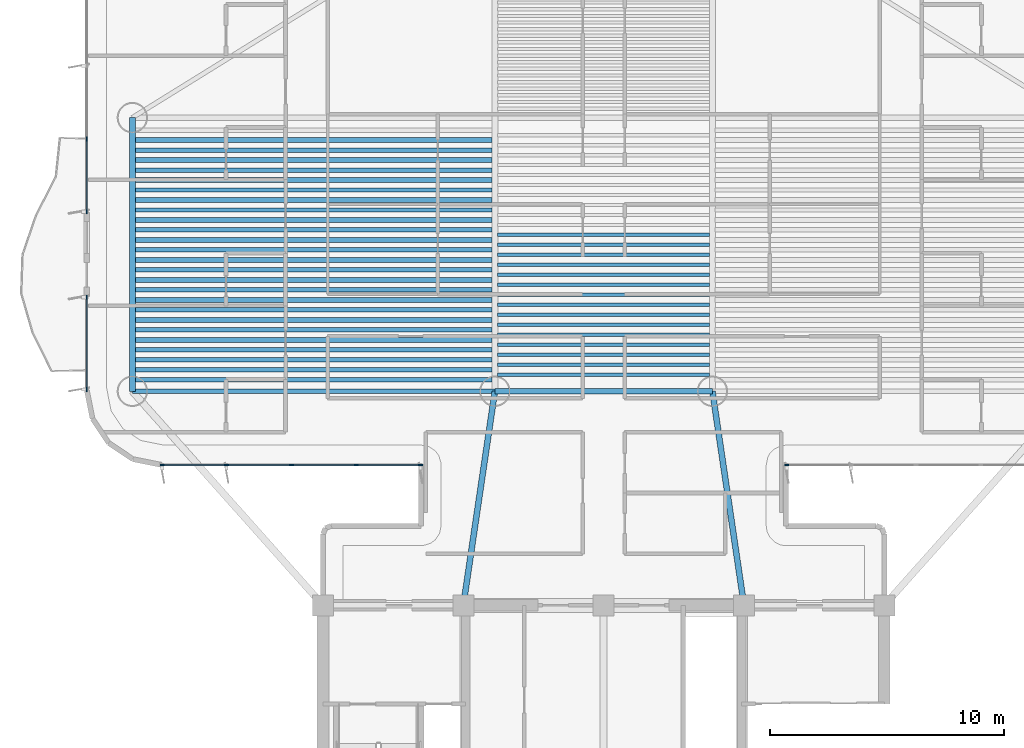
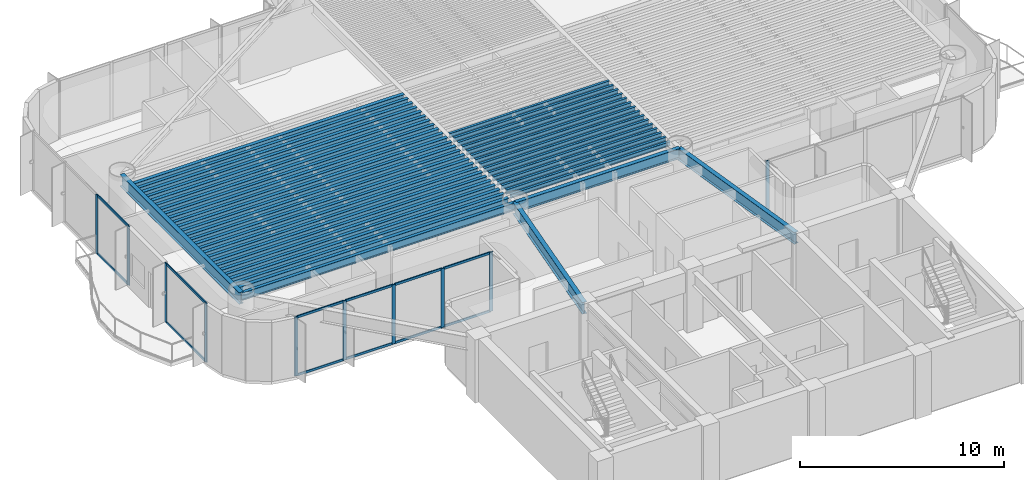
# One storey, part 2 of 17: 45 beams, 22 members, 4 elements without a shape of their own.
"""IFC4 building model written with IfcOpenShell, lengths in metres."""

from ifc_helpers import new_model, si_unit, direction, frame, origin, origin_2d, place, context, subcontext, project, spatial, rectangle, i_section, extrude, source, transform, mapped, material, layer, layer_set, material_profile, profile_set, type_object, element, aggregate, save


model = new_model("IFC4")

# Units and contexts
model_context = context("Model", 3, precision=1e-05, world=origin(), true_north=direction((0.0, 1.0)))
body_context = subcontext(model_context, "Body", "Model", "MODEL_VIEW")
ifc_project = project(units=[si_unit("LENGTHUNIT", "METRE"), si_unit("AREAUNIT", "SQUARE_METRE"), si_unit("VOLUMEUNIT", "CUBIC_METRE"), si_unit("PLANEANGLEUNIT", "RADIAN"), si_unit("MASSUNIT", "GRAM", prefix="KILO")], contexts=[model_context])

# Site, building, storey
site_placement = place(None, origin())
site = spatial("IfcSite", under=ifc_project, at=site_placement, CompositionType="ELEMENT")
building_placement = place(site_placement, origin())
building = spatial("IfcBuilding", under=site, at=building_placement, Name="Brelvock Crest Care Tower", CompositionType="ELEMENT")
storey_placement = place(building_placement, frame((0.0, 0.0, 127.6201171875)))
storey = spatial("IfcBuildingStorey", under=building, at=storey_placement, Name="L32", CompositionType="ELEMENT", Elevation=127.6201171875)

# Beams
ifc_material_1 = material(Name="Steel Grade 350", Category="steel")
ifc_material_profile_1 = material_profile(ifc_material_1, i_section(OverallWidth=0.22900390625, OverallDepth=0.612060546875, WebThickness=0.011962890625, FlangeThickness=0.01953125, FilletRadius=0.013916015625, at=origin_2d()), Name="610UB125")
ifc_profile_set_1 = profile_set([ifc_material_profile_1], Name="Steel Grade 350")
beam_type_1 = type_object("IfcBeamType", Name="BM-G1", PredefinedType="BEAM", material=ifc_profile_set_1)
shared_shape_1 = source(origin(), body_context, "Body", "SweptSolid", [
    extrude(i_section(OverallWidth=0.22900390625, OverallDepth=0.612060546875, WebThickness=0.011962890625, FlangeThickness=0.01953125, FilletRadius=0.013916015625, at=origin_2d()), origin(), (0.0, 0.0, 1.0), 9.2998046875),
])
beam_1_placement = place(storey_placement, frame((31.35009765625, 27.14990234375, 3.223876953125), z_axis=(1.0, 0.0, 0.0), x_axis=(0.0, 1.0, 0.0)))
element("IfcBeam", 1, at=beam_1_placement, inside=storey, type_object=beam_type_1, Name="BM-TWR-L32-05", PredefinedType="BEAM", context=body_context, shape_type="MappedRepresentation", body=[
    mapped(shared_shape_1, transform((0.0, 0.0, 0.0), x_axis=(1.0, 0.0, 0.0), y_axis=(0.0, 1.0, 0.0), z_axis=(0.0, 0.0, 1.0), scale=1.0)),
])
ifc_material_profile_2 = material_profile(ifc_material_1, i_section(OverallWidth=0.14599609375, OverallDepth=0.256103515625, WebThickness=0.00634765625, FlangeThickness=0.010986328125, FilletRadius=0.0087890625, at=origin_2d()), Name="250UB37.3")
ifc_profile_set_2 = profile_set([ifc_material_profile_2], Name="Steel Grade 350")
beam_type_2 = type_object("IfcBeamType", Name="BM-J3", PredefinedType="JOIST", material=ifc_profile_set_2)
shared_shape_2 = source(origin(), body_context, "Body", "SweptSolid", [
    extrude(i_section(OverallWidth=0.14599609375, OverallDepth=0.256103515625, WebThickness=0.00634765625, FlangeThickness=0.010986328125, FilletRadius=0.0087890625, at=origin_2d()), origin(), (0.0, 0.0, 1.0), 9.06982421875),
])
for number, where, z_axis, x_axis, name in (
    (2, (31.465087890625, 27.85498046875, 3.40185546875), (1.0, 0.0, 0.0), (0.0, 1.0, 0.0), "BM-JH-L32-1"),
    (3, (31.465087890625, 28.281982421875, 3.40185546875), (1.0, 0.0, 0.0), (0.0, 1.0, 0.0), "BM-JH-L32-2"),
    (4, (31.465087890625, 28.708984375, 3.40185546875), (1.0, 0.0, 0.0), (0.0, 1.0, 0.0), "BM-JH-L32-3"),
    (5, (31.465087890625, 29.135986328125, 3.40185546875), (1.0, 0.0, 0.0), (0.0, 1.0, 0.0), "BM-JH-L32-4"),
    (6, (31.465087890625, 29.56298828125, 3.40185546875), (1.0, 0.0, 0.0), (0.0, 1.0, 0.0), "BM-JH-L32-5"),
    (7, (31.465087890625, 29.990234375, 3.40185546875), (1.0, 0.0, 0.0), (0.0, 1.0, 0.0), "BM-JH-L32-6"),
    (8, (31.465087890625, 30.417236328125, 3.40185546875), (1.0, 0.0, 0.0), (0.0, 1.0, 0.0), "BM-JH-L32-7"),
    (9, (31.465087890625, 30.84423828125, 3.40185546875), (1.0, 0.0, 0.0), (0.0, 1.0, 0.0), "BM-JH-L32-8"),
    (10, (31.465087890625, 31.271240234375, 3.40185546875), (1.0, 0.0, 0.0), (0.0, 1.0, 0.0), "BM-JH-L32-9"),
    (11, (31.465087890625, 31.698486328125, 3.40185546875), (1.0, 0.0, 0.0), (0.0, 1.0, 0.0), "BM-JH-L32-10"),
    (12, (31.465087890625, 32.12548828125, 3.40185546875), (1.0, 0.0, 0.0), (0.0, 1.0, 0.0), "BM-JH-L32-11"),
    (13, (31.465087890625, 32.552490234375, 3.40185546875), (1.0, 0.0, 0.0), (0.0, 1.0, 0.0), "BM-JH-L32-12"),
    (14, (31.465087890625, 32.9794921875, 3.40185546875), (1.0, 0.0, 0.0), (0.0, 1.0, 0.0), "BM-JH-L32-13"),
    (15, (31.465087890625, 33.406494140625, 3.40185546875), (1.0, 0.0, 0.0), (0.0, 1.0, 0.0), "BM-JH-L32-14"),
    (16, (31.465087890625, 33.83349609375, 3.40185546875), (1.0, 0.0, 0.0), (0.0, 1.0, 0.0), "BM-JH-L32-15"),
):
    element("IfcBeam", number, at=place(storey_placement, frame(where, z_axis=z_axis, x_axis=x_axis)), inside=storey, type_object=beam_type_2, Name=name, PredefinedType="JOIST", context=body_context, shape_type="MappedRepresentation", body=[
        mapped(shared_shape_2, transform((0.0, 0.0, 0.0), x_axis=(1.0, 0.0, 0.0), y_axis=(0.0, 1.0, 0.0), z_axis=(0.0, 0.0, 1.0), scale=1.0)),
    ])
ifc_material_profile_3 = material_profile(ifc_material_1, i_section(OverallWidth=0.208984375, OverallDepth=0.532958984375, WebThickness=0.01025390625, FlangeThickness=0.015625, FilletRadius=0.013916015625, at=origin_2d()), Name="530UB92.4")
ifc_profile_set_3 = profile_set([ifc_material_profile_3], Name="Steel Grade 350")
beam_type_3 = type_object("IfcBeamType", Name="BM-G2", PredefinedType="BEAM", material=ifc_profile_set_3)
shared_shape_3 = source(origin(), body_context, "Body", "SweptSolid", [
    extrude(i_section(OverallWidth=0.208984375, OverallDepth=0.532958984375, WebThickness=0.01025390625, FlangeThickness=0.015625, FilletRadius=0.013916015625, at=origin_2d()), origin(), (0.0, 0.0, 1.0), 15.27001953125),
])
for number, where, z_axis, x_axis, name in (
    (17, (15.965087890625, 27.641357421875, 3.263427734375), (1.0, 0.0, 0.0), (0.0, 1.0, 0.0), "BM-JW-L32-1"),
    (18, (15.965087890625, 28.49560546875, 3.263427734375), (1.0, 0.0, 0.0), (0.0, 1.0, 0.0), "BM-JW-L32-3"),
    (19, (15.965087890625, 29.349609375, 3.263427734375), (1.0, 0.0, 0.0), (0.0, 1.0, 0.0), "BM-JW-L32-5"),
    (20, (15.965087890625, 30.20361328125, 3.263427734375), (1.0, 0.0, 0.0), (0.0, 1.0, 0.0), "BM-JW-L32-7"),
    (21, (15.965087890625, 31.057861328125, 3.263427734375), (1.0, 0.0, 0.0), (0.0, 1.0, 0.0), "BM-JW-L32-9"),
    (22, (15.965087890625, 31.911865234375, 3.263427734375), (1.0, 0.0, 0.0), (0.0, 1.0, 0.0), "BM-JW-L32-11"),
    (23, (15.965087890625, 32.76611328125, 3.263427734375), (1.0, 0.0, 0.0), (0.0, 1.0, 0.0), "BM-JW-L32-13"),
    (24, (15.965087890625, 33.6201171875, 3.263427734375), (1.0, 0.0, 0.0), (0.0, 1.0, 0.0), "BM-JW-L32-15"),
    (25, (15.965087890625, 34.47412109375, 3.263427734375), (1.0, 0.0, 0.0), (0.0, 1.0, 0.0), "BM-JW-L32-17"),
    (26, (15.965087890625, 35.328369140625, 3.263427734375), (1.0, 0.0, 0.0), (0.0, 1.0, 0.0), "BM-JW-L32-19"),
    (27, (15.965087890625, 36.182373046875, 3.263427734375), (1.0, 0.0, 0.0), (0.0, 1.0, 0.0), "BM-JW-L32-21"),
    (28, (15.965087890625, 37.03662109375, 3.263427734375), (1.0, 0.0, 0.0), (0.0, 1.0, 0.0), "BM-JW-L32-23"),
    (29, (15.965087890625, 37.890625, 3.263427734375), (1.0, 0.0, 0.0), (0.0, 1.0, 0.0), "BM-JW-L32-25"),
):
    element("IfcBeam", number, at=place(storey_placement, frame(where, z_axis=z_axis, x_axis=x_axis)), inside=storey, type_object=beam_type_3, Name=name, PredefinedType="BEAM", context=body_context, shape_type="MappedRepresentation", body=[
        mapped(shared_shape_3, transform((0.0, 0.0, 0.0), x_axis=(1.0, 0.0, 0.0), y_axis=(0.0, 1.0, 0.0), z_axis=(0.0, 0.0, 1.0), scale=1.0)),
    ])
ifc_material_profile_4 = material_profile(ifc_material_1, i_section(OverallWidth=0.19091796875, OverallDepth=0.4599609375, WebThickness=0.010009765625, FlangeThickness=0.01611328125, FilletRadius=0.011474609375, at=origin_2d()), Name="460UB82.1")
ifc_profile_set_4 = profile_set([ifc_material_profile_4], Name="Steel Grade 350")
beam_type_4 = type_object("IfcBeamType", Name="BM-G3", PredefinedType="BEAM", material=ifc_profile_set_4)
shared_shape_4 = source(origin(), body_context, "Body", "SweptSolid", [
    extrude(i_section(OverallWidth=0.19091796875, OverallDepth=0.4599609375, WebThickness=0.010009765625, FlangeThickness=0.01611328125, FilletRadius=0.011474609375, at=origin_2d()), origin(), (0.0, 0.0, 1.0), 15.27001953125),
])
for number, where, z_axis, x_axis, name in (
    (30, (15.965087890625, 28.068359375, 3.2998046875), (1.0, 0.0, 0.0), (0.0, 1.0, 0.0), "BM-JW-L32-2"),
    (31, (15.965087890625, 28.922607421875, 3.2998046875), (1.0, 0.0, 0.0), (0.0, 1.0, 0.0), "BM-JW-L32-4"),
    (32, (15.965087890625, 29.776611328125, 3.2998046875), (1.0, 0.0, 0.0), (0.0, 1.0, 0.0), "BM-JW-L32-6"),
    (33, (15.965087890625, 30.630615234375, 3.2998046875), (1.0, 0.0, 0.0), (0.0, 1.0, 0.0), "BM-JW-L32-8"),
    (34, (15.965087890625, 31.48486328125, 3.2998046875), (1.0, 0.0, 0.0), (0.0, 1.0, 0.0), "BM-JW-L32-10"),
    (35, (15.965087890625, 32.3388671875, 3.2998046875), (1.0, 0.0, 0.0), (0.0, 1.0, 0.0), "BM-JW-L32-12"),
    (36, (15.965087890625, 33.193115234375, 3.2998046875), (1.0, 0.0, 0.0), (0.0, 1.0, 0.0), "BM-JW-L32-14"),
    (37, (15.965087890625, 34.047119140625, 3.2998046875), (1.0, 0.0, 0.0), (0.0, 1.0, 0.0), "BM-JW-L32-16"),
    (38, (15.965087890625, 34.901123046875, 3.2998046875), (1.0, 0.0, 0.0), (0.0, 1.0, 0.0), "BM-JW-L32-18"),
    (39, (15.965087890625, 35.75537109375, 3.2998046875), (1.0, 0.0, 0.0), (0.0, 1.0, 0.0), "BM-JW-L32-20"),
    (40, (15.965087890625, 36.609619140625, 3.2998046875), (1.0, 0.0, 0.0), (0.0, 1.0, 0.0), "BM-JW-L32-22"),
    (41, (15.965087890625, 37.46337890625, 3.2998046875), (1.0, 0.0, 0.0), (0.0, 1.0, 0.0), "BM-JW-L32-24"),
):
    element("IfcBeam", number, at=place(storey_placement, frame(where, z_axis=z_axis, x_axis=x_axis)), inside=storey, type_object=beam_type_4, Name=name, PredefinedType="BEAM", context=body_context, shape_type="MappedRepresentation", body=[
        mapped(shared_shape_4, transform((0.0, 0.0, 0.0), x_axis=(1.0, 0.0, 0.0), y_axis=(0.0, 1.0, 0.0), z_axis=(0.0, 0.0, 1.0), scale=1.0)),
    ])
ifc_material_profile_5 = material_profile(ifc_material_1, i_section(OverallWidth=0.25, OverallDepth=0.699951171875, WebThickness=0.011962890625, FlangeThickness=0.02001953125, at=origin_2d()), Name="700WB150")
ifc_profile_set_5 = profile_set([ifc_material_profile_5], Name="Steel Grade 350")
beam_type_5 = type_object("IfcBeamType", Name="BM-G4", PredefinedType="BEAM", material=ifc_profile_set_5)
shared_shape_5 = source(origin(), body_context, "Body", "SweptSolid", [
    extrude(i_section(OverallWidth=0.25, OverallDepth=0.699951171875, WebThickness=0.011962890625, FlangeThickness=0.02001953125, at=origin_2d()), origin(), (0.0, 0.0, 1.0), 11.7001953125),
])
beam_2_placement = place(storey_placement, frame((15.85009765625, 27.14990234375, 3.179931640625), z_axis=(0.0, 1.0, 0.0), x_axis=(-1.0, 0.0, 0.0)))
element("IfcBeam", 42, at=beam_2_placement, inside=storey, type_object=beam_type_5, Name="BM-TWR-L32-01", PredefinedType="BEAM", context=body_context, shape_type="MappedRepresentation", body=[
    mapped(shared_shape_5, transform((0.0, 0.0, 0.0), x_axis=(1.0, 0.0, 0.0), y_axis=(0.0, 1.0, 0.0), z_axis=(0.0, 0.0, 1.0), scale=1.0)),
])
ifc_material_profile_6 = material_profile(ifc_material_1, i_section(OverallWidth=0.19091796875, OverallDepth=0.4599609375, WebThickness=0.010009765625, FlangeThickness=0.01611328125, FilletRadius=0.011474609375, at=origin_2d()), Name="460UB82.1")
ifc_profile_set_6 = profile_set([ifc_material_profile_6], Name="Steel Grade 350")
beam_type_6 = type_object("IfcBeamType", Name="BM-SP2", PredefinedType="SPANDREL", material=ifc_profile_set_6)
shared_shape_6 = source(origin(), body_context, "Body", "SweptSolid", [
    extrude(i_section(OverallWidth=0.19091796875, OverallDepth=0.4599609375, WebThickness=0.010009765625, FlangeThickness=0.01611328125, FilletRadius=0.011474609375, at=origin_2d()), origin(), (0.0, 0.0, 1.0), 15.5),
])
beam_3_placement = place(storey_placement, frame((15.85009765625, 27.14990234375, 3.2998046875), z_axis=(1.0, 0.0, 0.0), x_axis=(0.0, 1.0, 0.0)))
element("IfcBeam", 43, at=beam_3_placement, inside=storey, type_object=beam_type_6, Name="BM-TWR-L32-03", PredefinedType="SPANDREL", context=body_context, shape_type="MappedRepresentation", body=[
    mapped(shared_shape_6, transform((0.0, 0.0, 0.0), x_axis=(1.0, 0.0, 0.0), y_axis=(0.0, 1.0, 0.0), z_axis=(0.0, 0.0, 1.0), scale=1.0)),
])
shared_shape_7 = source(origin(), body_context, "Body", "SweptSolid", [
    extrude(i_section(OverallWidth=0.25, OverallDepth=0.699951171875, WebThickness=0.011962890625, FlangeThickness=0.02001953125, at=origin_2d()), origin(), (0.0, 0.0, 1.0), 9.2490234375),
])
for number, where, z_axis, x_axis, name in (
    (44, (30.0, 18.0, 3.179931640625), (0.145972731602, 0.989288613918, 0.0), (-0.989288613918, 0.145972731602, 0.0), "BM-THRW-L32"),
    (45, (42.0, 18.0, 3.179931640625), (-0.145972731602, 0.989288613918, 0.0), (-0.989288613918, -0.145972731602, 0.0), "BM-THRE-L32"),
):
    element("IfcBeam", number, at=place(storey_placement, frame(where, z_axis=z_axis, x_axis=x_axis)), inside=storey, type_object=beam_type_5, Name=name, PredefinedType="BEAM", context=body_context, shape_type="MappedRepresentation", body=[
        mapped(shared_shape_7, transform((0.0, 0.0, 0.0), x_axis=(1.0, 0.0, 0.0), y_axis=(0.0, 1.0, 0.0), z_axis=(0.0, 0.0, 1.0), scale=1.0)),
    ])

# Curtain wall, members
ifc_material_2 = material(Name="Dark Glass Double Glazed Low-E", Category="glass")
ifc_layer = layer(ifc_material_2, 0.2099609375, Name="CWS-3")
ifc_layer_set = layer_set([ifc_layer], Name="Dark Glass Double Glazed Low-E")
curtain_wall_type = type_object("IfcCurtainWallType", Name="CWS-3", PredefinedType="NOTDEFINED", material=ifc_layer_set)
curtain_wall_1_placement = place(storey_placement, origin())
curtain_wall_1 = element("IfcCurtainWall", 46, at=curtain_wall_1_placement, inside=storey, type_object=curtain_wall_type, Name="L32 Curtain Wall E12", PredefinedType="NOTDEFINED")
ifc_material_3 = material(Name="Aluminium 6063-T6", Category="aluminium")
ifc_material_profile_7 = material_profile(ifc_material_3, rectangle(XDim=0.06005859375, YDim=0.139892578125, at=origin_2d()), Name="ALU60x140")
ifc_profile_set_7 = profile_set([ifc_material_profile_7], Name="Aluminium 6063-T6")
member_type_1 = type_object("IfcMemberType", Name="CWT-2", PredefinedType="USERDEFINED", material=ifc_profile_set_7)
shared_shape_8 = source(origin(), body_context, "Body", "SweptSolid", [
    extrude(rectangle(XDim=0.06005859375, YDim=0.139892578125, at=origin_2d()), origin(), (0.0, 0.0, 1.0), 2.684814453125),
])
member_1_placement = place(storey_placement, frame((28.139892578125, 24.0, 0.02978515625), z_axis=(-1.0, 0.0, 0.0), x_axis=(0.0, -1.0, 0.0)))
member_1 = element("IfcMember", 47, at=member_1_placement, type_object=member_type_1, Name="CW-3 transom 1.1", ObjectType="TRANSOM", PredefinedType="USERDEFINED", context=body_context, shape_type="MappedRepresentation", body=[
    mapped(shared_shape_8, transform((0.0, 0.0, 0.0), x_axis=(1.0, 0.0, 0.0), y_axis=(0.0, 1.0, 0.0), z_axis=(0.0, 0.0, 1.0), scale=1.0)),
])
member_2_placement = place(storey_placement, frame((28.139892578125, 24.0, 3.5), z_axis=(-1.0, 0.0, 0.0), x_axis=(0.0, -1.0, 0.0)))
member_2 = element("IfcMember", 48, at=member_2_placement, type_object=member_type_1, Name="CW-3 transom 1.2", ObjectType="TRANSOM", PredefinedType="USERDEFINED", context=body_context, shape_type="MappedRepresentation", body=[
    mapped(shared_shape_8, transform((0.0, 0.0, 0.0), x_axis=(1.0, 0.0, 0.0), y_axis=(0.0, 1.0, 0.0), z_axis=(0.0, 0.0, 1.0), scale=1.0)),
])
shared_shape_9 = source(origin(), body_context, "Body", "SweptSolid", [
    extrude(rectangle(XDim=0.06005859375, YDim=0.139892578125, at=origin_2d()), origin(), (0.0, 0.0, 1.0), 2.715087890625),
])
member_3_placement = place(storey_placement, frame((25.39501953125, 24.0, 0.02978515625), z_axis=(-1.0, 0.0, 0.0), x_axis=(0.0, -1.0, 0.0)))
member_3 = element("IfcMember", 49, at=member_3_placement, type_object=member_type_1, Name="CW-3 transom 2.1", ObjectType="TRANSOM", PredefinedType="USERDEFINED", context=body_context, shape_type="MappedRepresentation", body=[
    mapped(shared_shape_9, transform((0.0, 0.0, 0.0), x_axis=(1.0, 0.0, 0.0), y_axis=(0.0, 1.0, 0.0), z_axis=(0.0, 0.0, 1.0), scale=1.0)),
])
member_4_placement = place(storey_placement, frame((25.39501953125, 24.0, 3.5), z_axis=(-1.0, 0.0, 0.0), x_axis=(0.0, -1.0, 0.0)))
member_4 = element("IfcMember", 50, at=member_4_placement, type_object=member_type_1, Name="CW-3 transom 2.2", ObjectType="TRANSOM", PredefinedType="USERDEFINED", context=body_context, shape_type="MappedRepresentation", body=[
    mapped(shared_shape_9, transform((0.0, 0.0, 0.0), x_axis=(1.0, 0.0, 0.0), y_axis=(0.0, 1.0, 0.0), z_axis=(0.0, 0.0, 1.0), scale=1.0)),
])
member_5_placement = place(storey_placement, frame((22.6201171875, 24.0, 0.02978515625), z_axis=(-1.0, 0.0, 0.0), x_axis=(0.0, -1.0, 0.0)))
member_5 = element("IfcMember", 51, at=member_5_placement, type_object=member_type_1, Name="CW-3 transom 3.1", ObjectType="TRANSOM", PredefinedType="USERDEFINED", context=body_context, shape_type="MappedRepresentation", body=[
    mapped(shared_shape_9, transform((0.0, 0.0, 0.0), x_axis=(1.0, 0.0, 0.0), y_axis=(0.0, 1.0, 0.0), z_axis=(0.0, 0.0, 1.0), scale=1.0)),
])
member_6_placement = place(storey_placement, frame((22.6201171875, 24.0, 3.5), z_axis=(-1.0, 0.0, 0.0), x_axis=(0.0, -1.0, 0.0)))
member_6 = element("IfcMember", 52, at=member_6_placement, type_object=member_type_1, Name="CW-3 transom 3.2", ObjectType="TRANSOM", PredefinedType="USERDEFINED", context=body_context, shape_type="MappedRepresentation", body=[
    mapped(shared_shape_9, transform((0.0, 0.0, 0.0), x_axis=(1.0, 0.0, 0.0), y_axis=(0.0, 1.0, 0.0), z_axis=(0.0, 0.0, 1.0), scale=1.0)),
])
shared_shape_10 = source(origin(), body_context, "Body", "SweptSolid", [
    extrude(rectangle(XDim=0.06005859375, YDim=0.139892578125, at=origin_2d()), origin(), (0.0, 0.0, 1.0), 2.68505859375),
])
member_7_placement = place(storey_placement, frame((19.844970703125, 24.0, 0.02978515625), z_axis=(-1.0, 0.0, 0.0), x_axis=(0.0, -1.0, 0.0)))
member_7 = element("IfcMember", 53, at=member_7_placement, type_object=member_type_1, Name="CW-3 transom 4.1", ObjectType="TRANSOM", PredefinedType="USERDEFINED", context=body_context, shape_type="MappedRepresentation", body=[
    mapped(shared_shape_10, transform((0.0, 0.0, 0.0), x_axis=(1.0, 0.0, 0.0), y_axis=(0.0, 1.0, 0.0), z_axis=(0.0, 0.0, 1.0), scale=1.0)),
])
member_8_placement = place(storey_placement, frame((19.844970703125, 24.0, 3.5), z_axis=(-1.0, 0.0, 0.0), x_axis=(0.0, -1.0, 0.0)))
member_8 = element("IfcMember", 54, at=member_8_placement, type_object=member_type_1, Name="CW-3 transom 4.2", ObjectType="TRANSOM", PredefinedType="USERDEFINED", context=body_context, shape_type="MappedRepresentation", body=[
    mapped(shared_shape_10, transform((0.0, 0.0, 0.0), x_axis=(1.0, 0.0, 0.0), y_axis=(0.0, 1.0, 0.0), z_axis=(0.0, 0.0, 1.0), scale=1.0)),
])
ifc_material_profile_8 = material_profile(ifc_material_3, rectangle(XDim=0.06005859375, YDim=0.179931640625, at=origin_2d()), Name="ALU60x180")
ifc_profile_set_8 = profile_set([ifc_material_profile_8], Name="Aluminium 6063-T6")
member_type_2 = type_object("IfcMemberType", Name="CWM-2", PredefinedType="MULLION", material=ifc_profile_set_8)
shared_shape_11 = source(origin(), body_context, "Body", "SweptSolid", [
    extrude(rectangle(XDim=0.06005859375, YDim=0.179931640625, at=origin_2d()), origin(), (0.0, 0.0, 1.0), 3.52978515625),
])
member_9_placement = place(storey_placement, frame((28.169921875, 24.0, 0.0), z_axis=(0.0, 0.0, 1.0), x_axis=(0.0, -1.0, 0.0)))
member_9 = element("IfcMember", 55, at=member_9_placement, type_object=member_type_2, Name="CW-3 mullion 1", PredefinedType="MULLION", context=body_context, shape_type="MappedRepresentation", body=[
    mapped(shared_shape_11, transform((0.0, 0.0, 0.0), x_axis=(1.0, 0.0, 0.0), y_axis=(0.0, 1.0, 0.0), z_axis=(0.0, 0.0, 1.0), scale=1.0)),
])
member_10_placement = place(storey_placement, frame((25.425048828125, 24.0, 0.0), z_axis=(0.0, 0.0, 1.0), x_axis=(0.0, -1.0, 0.0)))
member_10 = element("IfcMember", 56, at=member_10_placement, type_object=member_type_2, Name="CW-3 mullion 2", PredefinedType="MULLION", context=body_context, shape_type="MappedRepresentation", body=[
    mapped(shared_shape_11, transform((0.0, 0.0, 0.0), x_axis=(1.0, 0.0, 0.0), y_axis=(0.0, 1.0, 0.0), z_axis=(0.0, 0.0, 1.0), scale=1.0)),
])
member_11_placement = place(storey_placement, frame((22.64990234375, 24.0, 0.0), z_axis=(0.0, 0.0, 1.0), x_axis=(0.0, -1.0, 0.0)))
member_11 = element("IfcMember", 57, at=member_11_placement, type_object=member_type_2, Name="CW-3 mullion 3", PredefinedType="MULLION", context=body_context, shape_type="MappedRepresentation", body=[
    mapped(shared_shape_11, transform((0.0, 0.0, 0.0), x_axis=(1.0, 0.0, 0.0), y_axis=(0.0, 1.0, 0.0), z_axis=(0.0, 0.0, 1.0), scale=1.0)),
])
member_12_placement = place(storey_placement, frame((19.875, 24.0, 0.0), z_axis=(0.0, 0.0, 1.0), x_axis=(0.0, -1.0, 0.0)))
member_12 = element("IfcMember", 58, at=member_12_placement, type_object=member_type_2, Name="CW-3 mullion 4", PredefinedType="MULLION", context=body_context, shape_type="MappedRepresentation", body=[
    mapped(shared_shape_11, transform((0.0, 0.0, 0.0), x_axis=(1.0, 0.0, 0.0), y_axis=(0.0, 1.0, 0.0), z_axis=(0.0, 0.0, 1.0), scale=1.0)),
])
member_13_placement = place(storey_placement, frame((17.1298828125, 24.0, 0.0), z_axis=(0.0, 0.0, 1.0), x_axis=(0.0, -1.0, 0.0)))
member_13 = element("IfcMember", 59, at=member_13_placement, type_object=member_type_2, Name="CW-3 mullion 5", PredefinedType="MULLION", context=body_context, shape_type="MappedRepresentation", body=[
    mapped(shared_shape_11, transform((0.0, 0.0, 0.0), x_axis=(1.0, 0.0, 0.0), y_axis=(0.0, 1.0, 0.0), z_axis=(0.0, 0.0, 1.0), scale=1.0)),
])
aggregate(curtain_wall_1, [member_9, member_10, member_11, member_12, member_13, member_1, member_2, member_3, member_4, member_5, member_6, member_7, member_8])

curtain_wall_2_placement = place(storey_placement, origin())
curtain_wall_2 = element("IfcCurtainWall", 60, at=curtain_wall_2_placement, inside=storey, type_object=curtain_wall_type, Name="L32 Curtain Wall E17A", PredefinedType="NOTDEFINED")
member_14_placement = place(storey_placement, frame((13.89990234375, 27.22998046875, 0.0), z_axis=(0.0, 0.0, 1.0), x_axis=(-1.0, 0.0, 0.0)))
member_14 = element("IfcMember", 61, at=member_14_placement, type_object=member_type_2, Name="CW-3 mullion 1", PredefinedType="MULLION", context=body_context, shape_type="MappedRepresentation", body=[
    mapped(shared_shape_11, transform((0.0, 0.0, 0.0), x_axis=(1.0, 0.0, 0.0), y_axis=(0.0, 1.0, 0.0), z_axis=(0.0, 0.0, 1.0), scale=1.0)),
])
member_15_placement = place(storey_placement, frame((13.89990234375, 31.169921875, 0.0), z_axis=(0.0, 0.0, 1.0), x_axis=(-1.0, 0.0, 0.0)))
member_15 = element("IfcMember", 62, at=member_15_placement, type_object=member_type_2, Name="CW-3 mullion 2", PredefinedType="MULLION", context=body_context, shape_type="MappedRepresentation", body=[
    mapped(shared_shape_11, transform((0.0, 0.0, 0.0), x_axis=(1.0, 0.0, 0.0), y_axis=(0.0, 1.0, 0.0), z_axis=(0.0, 0.0, 1.0), scale=1.0)),
])

curtain_wall_3_placement = place(storey_placement, origin())
curtain_wall_3 = element("IfcCurtainWall", 63, at=curtain_wall_3_placement, inside=storey, type_object=curtain_wall_type, Name="L32 Curtain Wall E17B", PredefinedType="NOTDEFINED")
member_16_placement = place(storey_placement, frame((13.89990234375, 34.830078125, 0.0), z_axis=(0.0, 0.0, 1.0), x_axis=(-1.0, 0.0, 0.0)))
member_16 = element("IfcMember", 64, at=member_16_placement, type_object=member_type_2, Name="CW-3 mullion 1", PredefinedType="MULLION", context=body_context, shape_type="MappedRepresentation", body=[
    mapped(shared_shape_11, transform((0.0, 0.0, 0.0), x_axis=(1.0, 0.0, 0.0), y_axis=(0.0, 1.0, 0.0), z_axis=(0.0, 0.0, 1.0), scale=1.0)),
])
member_17_placement = place(storey_placement, frame((13.89990234375, 37.933349609375, 0.0), z_axis=(0.0, 0.0, 1.0), x_axis=(-1.0, 0.0, 0.0)))
member_17 = element("IfcMember", 65, at=member_17_placement, type_object=member_type_2, Name="CW-3 mullion 2", PredefinedType="MULLION", context=body_context, shape_type="MappedRepresentation", body=[
    mapped(shared_shape_11, transform((0.0, 0.0, 0.0), x_axis=(1.0, 0.0, 0.0), y_axis=(0.0, 1.0, 0.0), z_axis=(0.0, 0.0, 1.0), scale=1.0)),
])

# Curtain wall, member
curtain_wall_4_placement = place(storey_placement, origin())
curtain_wall_4 = element("IfcCurtainWall", 66, at=curtain_wall_4_placement, inside=storey, type_object=curtain_wall_type, Name="L32 Curtain Wall E44", PredefinedType="NOTDEFINED")
member_18_placement = place(storey_placement, frame((43.830078125, 24.0, 0.0), z_axis=(0.0, 0.0, 1.0), x_axis=(0.0, -1.0, 0.0)))
member_18 = element("IfcMember", 67, at=member_18_placement, type_object=member_type_2, Name="CW-3 mullion 5", PredefinedType="MULLION", context=body_context, shape_type="MappedRepresentation", body=[
    mapped(shared_shape_11, transform((0.0, 0.0, 0.0), x_axis=(1.0, 0.0, 0.0), y_axis=(0.0, 1.0, 0.0), z_axis=(0.0, 0.0, 1.0), scale=1.0)),
])
aggregate(curtain_wall_4, [member_18])

# Member
shared_shape_12 = source(origin(), body_context, "Body", "SweptSolid", [
    extrude(rectangle(XDim=0.06005859375, YDim=0.139892578125, at=origin_2d()), origin(), (0.0, 0.0, 1.0), 3.8798828125),
])
member_19_placement = place(storey_placement, frame((13.89990234375, 27.260009765625, 0.02978515625), z_axis=(0.0, 1.0, 0.0), x_axis=(-1.0, 0.0, 0.0)))
member_19 = element("IfcMember", 68, at=member_19_placement, type_object=member_type_1, Name="CW-3 transom 1.1", ObjectType="TRANSOM", PredefinedType="USERDEFINED", context=body_context, shape_type="MappedRepresentation", body=[
    mapped(shared_shape_12, transform((0.0, 0.0, 0.0), x_axis=(1.0, 0.0, 0.0), y_axis=(0.0, 1.0, 0.0), z_axis=(0.0, 0.0, 1.0), scale=1.0)),
])

member_20_placement = place(storey_placement, frame((13.89990234375, 27.260009765625, 3.5), z_axis=(0.0, 1.0, 0.0), x_axis=(-1.0, 0.0, 0.0)))
member_20 = element("IfcMember", 69, at=member_20_placement, type_object=member_type_1, Name="CW-3 transom 1.2", ObjectType="TRANSOM", PredefinedType="USERDEFINED", context=body_context, shape_type="MappedRepresentation", body=[
    mapped(shared_shape_12, transform((0.0, 0.0, 0.0), x_axis=(1.0, 0.0, 0.0), y_axis=(0.0, 1.0, 0.0), z_axis=(0.0, 0.0, 1.0), scale=1.0)),
])

aggregate(curtain_wall_2, [member_14, member_15, member_19, member_20])

shared_shape_13 = source(origin(), body_context, "Body", "SweptSolid", [
    extrude(rectangle(XDim=0.06005859375, YDim=0.139892578125, at=origin_2d()), origin(), (0.0, 0.0, 1.0), 3.043212890625),
])
member_21_placement = place(storey_placement, frame((13.89990234375, 34.860107421875, 0.02978515625), z_axis=(0.0, 1.0, 0.0), x_axis=(-1.0, 0.0, 0.0)))
member_21 = element("IfcMember", 70, at=member_21_placement, type_object=member_type_1, Name="CW-3 transom 1.1", ObjectType="TRANSOM", PredefinedType="USERDEFINED", context=body_context, shape_type="MappedRepresentation", body=[
    mapped(shared_shape_13, transform((0.0, 0.0, 0.0), x_axis=(1.0, 0.0, 0.0), y_axis=(0.0, 1.0, 0.0), z_axis=(0.0, 0.0, 1.0), scale=1.0)),
])

member_22_placement = place(storey_placement, frame((13.89990234375, 34.860107421875, 3.5), z_axis=(0.0, 1.0, 0.0), x_axis=(-1.0, 0.0, 0.0)))
member_22 = element("IfcMember", 71, at=member_22_placement, type_object=member_type_1, Name="CW-3 transom 1.2", ObjectType="TRANSOM", PredefinedType="USERDEFINED", context=body_context, shape_type="MappedRepresentation", body=[
    mapped(shared_shape_13, transform((0.0, 0.0, 0.0), x_axis=(1.0, 0.0, 0.0), y_axis=(0.0, 1.0, 0.0), z_axis=(0.0, 0.0, 1.0), scale=1.0)),
])

aggregate(curtain_wall_3, [member_16, member_17, member_21, member_22])

save(model, "model.ifc")
